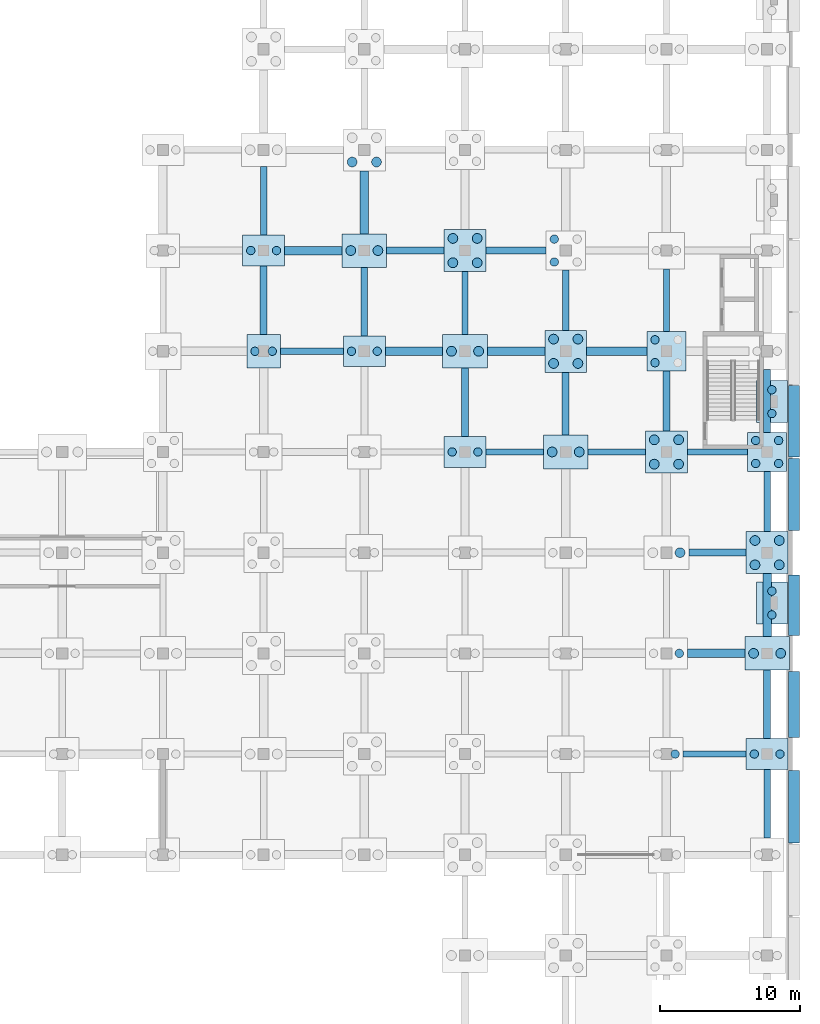
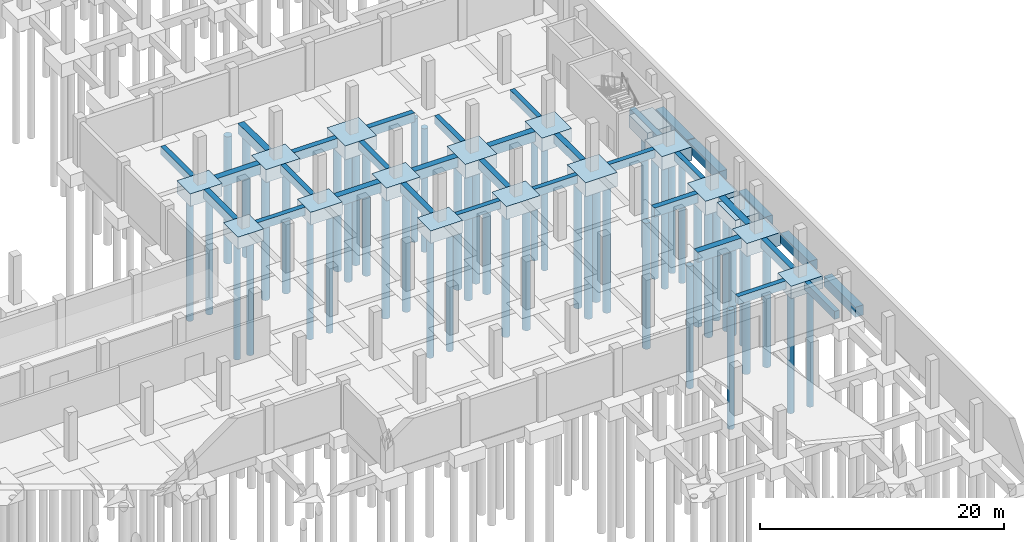
# One storey, part 13 of 38: 51 piles, 50 footings.
"""IFC4 building model written with IfcOpenShell, lengths in metres."""

import ifcopenshell
import ifcopenshell.guid

model = None  # the IFC model being written
_history = None  # IfcOwnerHistory: only IFC2X3 demands one
_inside = {}  # id of a spatial element -> (the spatial element, [elements in it])
_under = {}  # id of a project, library or spatial element -> (it, [spatial elements below it])
_declared = {}  # id of a project -> (the project, [libraries it declares])
_typed = {}  # id of a type object -> (the type object, [elements of that type])
_made_of = {}  # id of a material, layer set ... -> (it, [elements and type objects made of it])


def new_model(schema):
    """Start an empty IFC model of exactly this schema.

    Asked for "IFC4X3", IfcOpenShell would pick the latest addendum, in which some entities
    have other attributes; the version numbers below select the first issue.
    IFC2X3 requires an IfcOwnerHistory on every rooted entity: one is made here for all.
    """
    global model, _history
    if schema == "IFC4X3":
        model = ifcopenshell.file(schema_version=(4, 3, 0, 0))
    else:
        model = ifcopenshell.file(schema=schema)
    _inside.clear()
    _under.clear()
    _declared.clear()
    _typed.clear()
    _made_of.clear()
    _history = None
    if model.schema == "IFC2X3":
        org = make("IfcOrganization", Name="unknown")
        user = make(
            "IfcPersonAndOrganization",
            ThePerson=make("IfcPerson", FamilyName="unknown"),
            TheOrganization=org,
        )
        app = make(
            "IfcApplication",
            ApplicationDeveloper=org,
            Version="unknown",
            ApplicationFullName="unknown",
            ApplicationIdentifier="unknown",
        )
        _history = make(
            "IfcOwnerHistory",
            OwningUser=user,
            OwningApplication=app,
            ChangeAction="ADDED",
            CreationDate=0,
        )
    return model


def make(cls, **values):
    """One entity of the class cls with the attributes given. An attribute that is None is left unset."""
    return model.create_entity(
        cls, **{name: value for name, value in values.items() if value is not None}
    )


def rooted(cls, **values):
    """An entity with a GlobalId (a new one), such as an element, a storey or a relation."""
    return make(cls, GlobalId=ifcopenshell.guid.new(), OwnerHistory=_history, **values)


def si_unit(unit_type, name, prefix=None):
    """IfcSIUnit, for example si_unit("LENGTHUNIT", "METRE", prefix="MILLI")."""
    return make("IfcSIUnit", UnitType=unit_type, Prefix=prefix, Name=name)


def assignment(units):
    """IfcUnitAssignment: the units of a project."""
    return None if units is None else make("IfcUnitAssignment", Units=units)


def point(xyz):
    """IfcCartesianPoint."""
    return None if xyz is None else make("IfcCartesianPoint", Coordinates=xyz)


def direction(xyz):
    """IfcDirection."""
    return None if xyz is None else make("IfcDirection", DirectionRatios=xyz)


def frame(location, z_axis=None, x_axis=None):
    """IfcAxis2Placement3D, a coordinate frame: its origin and axes. An axis left out is left unset."""
    return make(
        "IfcAxis2Placement3D",
        Location=point(location),
        Axis=direction(z_axis),
        RefDirection=direction(x_axis),
    )


def frame_2d(location, x_axis=None):
    """IfcAxis2Placement2D, a coordinate frame in the plane: its origin and x axis."""
    return make(
        "IfcAxis2Placement2D", Location=point(location), RefDirection=direction(x_axis)
    )


def origin():
    """The frame at (0, 0, 0) with its axes left unset."""
    return frame((0.0, 0.0, 0.0))


def origin_2d():
    """The frame at (0, 0) in the plane with its x axis left unset."""
    return frame_2d((0.0, 0.0))


def place(relative_to, where):
    """IfcLocalPlacement: puts the frame where relative to a parent placement (None: the world)."""
    return make(
        "IfcLocalPlacement", PlacementRelTo=relative_to, RelativePlacement=where
    )


def context(
    kind, dimensions, precision=None, world=None, true_north=None, identifier=None
):
    """IfcGeometricRepresentationContext, for example the 3D "Model" context."""
    return make(
        "IfcGeometricRepresentationContext",
        ContextIdentifier=identifier,
        ContextType=kind,
        CoordinateSpaceDimension=dimensions,
        Precision=precision,
        WorldCoordinateSystem=world,
        TrueNorth=true_north,
    )


def subcontext(parent, identifier, kind, view, scale=None):
    """IfcGeometricRepresentationSubContext, for example "Body" below "Model"."""
    return make(
        "IfcGeometricRepresentationSubContext",
        ContextIdentifier=identifier,
        ContextType=kind,
        ParentContext=parent,
        TargetScale=scale,
        TargetView=view,
    )


def project(units=None, contexts=None):
    """IfcProject with its units and contexts."""
    return rooted(
        "IfcProject",
        Name="project",
        RepresentationContexts=contexts,
        UnitsInContext=assignment(units),
    )


def spatial(cls, under=None, at=None, **own):
    """A site, building, storey or space (cls), placed at a placement, below another one or the project."""
    s = rooted(cls, ObjectPlacement=at, **own)
    if under is not None:
        _under.setdefault(under.id(), (under, []))[1].append(s)
    return s


def profile(cls, at=None, kind="AREA", **sizes):
    """A parametric profile (cls). Its sizes go by their IFC names, for example OverallWidth=200.0."""
    return make(cls, ProfileType=kind, Position=at, **sizes)


def rectangle(**sizes):
    """IfcRectangleProfileDef."""
    return profile("IfcRectangleProfileDef", **sizes)


def circle(**sizes):
    """IfcCircleProfileDef."""
    return profile("IfcCircleProfileDef", **sizes)


def extrude(swept, where, along, depth):
    """IfcExtrudedAreaSolid: the profile swept, set in the frame where, extruded along a direction by depth."""
    return make(
        "IfcExtrudedAreaSolid",
        SweptArea=swept,
        Position=where,
        ExtrudedDirection=direction(along),
        Depth=depth,
    )


def shape(context_of_items, identifier, shape_type, items):
    """IfcShapeRepresentation: the items that make up one representation, for example the "Body"."""
    return make(
        "IfcShapeRepresentation",
        ContextOfItems=context_of_items,
        RepresentationIdentifier=identifier,
        RepresentationType=shape_type,
        Items=items,
    )


def material(Name=None, Category=None):
    """IfcMaterial."""
    return make("IfcMaterial", Name=Name, Category=Category)


def material_profile(
    of_material, cross_section, Name=None, Category=None, Priority=None
):
    """IfcMaterialProfile: a cross section and its material."""
    return make(
        "IfcMaterialProfile",
        Name=Name,
        Material=of_material,
        Profile=cross_section,
        Priority=Priority,
        Category=Category,
    )


def profile_set(profiles, Name=None, composite=None):
    """IfcMaterialProfileSet."""
    return make(
        "IfcMaterialProfileSet",
        Name=Name,
        MaterialProfiles=profiles,
        CompositeProfile=composite,
    )


def made_of(thing, what):
    """Note that an element or type object is made of a material, layer set ...; save() writes the relation."""
    if what is not None:
        _made_of.setdefault(what.id(), (what, []))[1].append(thing)
    return thing


def type_object(cls, material=None, **own):
    """A type object (cls), such as IfcWallType, which elements share."""
    return made_of(rooted(cls, **own), material)


def element(
    cls,
    number,
    at=None,
    inside=None,
    cuts=None,
    type_object=None,
    material=None,
    context=None,
    identifier="Body",
    shape_type=None,
    held_by="IfcProductDefinitionShape",
    body=None,
    shapes=None,
    **own,
):
    """One element of the class cls, such as IfcWall. Its Tag is "e" and its number.

    at: its placement. inside: the storey or other place that contains it. cuts: it is an
    opening in that element (IfcRelVoidsElement). A single representation is given by context,
    identifier, shape_type and body (its items); several are given by shapes. held_by: the class
    of the entity that holds the representations. save() writes the other relations.
    """
    e = rooted(cls, Tag="e%d" % number, ObjectPlacement=at, **own)
    if body is not None:
        shapes = [shape(context, identifier, shape_type, body)]
    if shapes is not None:
        e.Representation = make(held_by, Representations=shapes)
    if inside is not None:
        _inside.setdefault(inside.id(), (inside, []))[1].append(e)
    if cuts is not None:
        rooted(
            "IfcRelVoidsElement", RelatingBuildingElement=cuts, RelatedOpeningElement=e
        )
    if type_object is not None:
        _typed.setdefault(type_object.id(), (type_object, []))[1].append(e)
    return made_of(e, material)


def aggregate(whole, parts):
    """IfcRelAggregates: a whole, such as a stair, and the parts it consists of."""
    return rooted("IfcRelAggregates", RelatingObject=whole, RelatedObjects=parts)


def save(model, path):
    """Write the relations noted so far, then the file.

    IfcRelAggregates (storeys below a building ...), IfcRelContainedInSpatialStructure (elements
    in a storey), IfcRelDefinesByType, IfcRelAssociatesMaterial and IfcRelDeclares: one each for
    every whole, place, type object, material and project.
    """
    for whole, parts in _under.values():
        aggregate(whole, parts)
    for where, things in _inside.values():
        rooted(
            "IfcRelContainedInSpatialStructure",
            RelatedElements=things,
            RelatingStructure=where,
        )
    for kind, things in _typed.values():
        rooted("IfcRelDefinesByType", RelatedObjects=things, RelatingType=kind)
    for what, things in _made_of.values():
        rooted("IfcRelAssociatesMaterial", RelatedObjects=things, RelatingMaterial=what)
    for by, libraries in _declared.values():
        rooted("IfcRelDeclares", RelatingContext=by, RelatedDefinitions=libraries)
    model.write(path)


model = new_model("IFC4")

# Units and contexts
model_context = context("Model", 3, precision=1e-05, world=origin(), true_north=direction((0.0, 1.0)))
body_context = subcontext(model_context, "Body", "Model", "MODEL_VIEW")
ifc_project = project(units=[si_unit("LENGTHUNIT", "METRE"), si_unit("AREAUNIT", "SQUARE_METRE"), si_unit("VOLUMEUNIT", "CUBIC_METRE"), si_unit("PLANEANGLEUNIT", "RADIAN"), si_unit("MASSUNIT", "GRAM", prefix="KILO")], contexts=[model_context])

# Site, building, storey
site_placement = place(None, origin())
site = spatial("IfcSite", under=ifc_project, at=site_placement, CompositionType="ELEMENT")
building_placement = place(site_placement, origin())
building = spatial("IfcBuilding", under=site, at=building_placement, Name="Valkovuoma Quantum and Materials Research Institute", CompositionType="ELEMENT")
storey_placement = place(building_placement, frame((0.0, 0.0, -4.800048828125)))
storey = spatial("IfcBuildingStorey", under=building, at=storey_placement, Name="B1", CompositionType="ELEMENT", Elevation=-4.800048828125)

# Footings
ifc_material_1 = material(Name="Concrete C35/45", Category="concrete")
footing_type_1 = type_object("IfcFootingType", Name="Cap-PC-03", PredefinedType="PILE_CAP", material=ifc_material_1)
footing_1_placement = place(storey_placement, frame((129.60009765625, 64.800048828125, -1.19970703125), z_axis=(0.0, 0.0, 1.0), x_axis=(1.0, 0.0, 0.0)))
element("IfcFooting", 1, at=footing_1_placement, inside=storey, type_object=footing_type_1, Name="B1 pile cap 19K", PredefinedType="PILE_CAP", context=body_context, shape_type="SweptSolid", body=[
    extrude(rectangle(XDim=2.39990234375, YDim=2.39990234375, at=origin_2d()), origin(), (0.0, 0.0, 1.0), 1.199951171875),
])
ifc_material_2 = material(Name="Concrete C35/45", Category="concrete")
footing_type_2 = type_object("IfcFootingType", Name="Cap-PC-05", PredefinedType="PILE_CAP", material=ifc_material_2)
for number, where, z_axis, x_axis, name in (
    (2, (158.39990234375, 64.800048828125, -1.35009765625), (0.0, 0.0, 1.0), (1.0, 0.0, 0.0), "B1 pile cap 23K"),
    (3, (165.60009765625, 57.60009765625, -1.35009765625), (0.0, 0.0, 1.0), (1.0, 0.0, 0.0), "B1 pile cap 24J"),
):
    element("IfcFooting", number, at=place(storey_placement, frame(where, z_axis=z_axis, x_axis=x_axis)), inside=storey, type_object=footing_type_2, Name=name, PredefinedType="PILE_CAP", context=body_context, shape_type="SweptSolid", body=[
        extrude(rectangle(XDim=2.800048828125, YDim=2.800048828125, at=origin_2d()), origin(), (0.0, 0.0, 1.0), 1.35009765625),
    ])
ifc_material_3 = material(Name="Concrete C35/45", Category="concrete")
footing_type_3 = type_object("IfcFootingType", Name="Cap-PC-06", PredefinedType="PILE_CAP", material=ifc_material_3)
for number, where, z_axis, x_axis, name in (
    (4, (144.0, 72.0, -1.39990234375), (0.0, 0.0, 1.0), (1.0, 0.0, 0.0), "B1 pile cap 21L"),
    (5, (151.199951171875, 64.800048828125, -1.39990234375), (0.0, 0.0, 1.0), (1.0, 0.0, 0.0), "B1 pile cap 22K"),
    (6, (158.39990234375, 57.60009765625, -1.39990234375), (0.0, 0.0, 1.0), (1.0, 0.0, 0.0), "B1 pile cap 23J"),
    (7, (165.60009765625, 50.39990234375, -1.39990234375), (0.0, 0.0, 1.0), (1.0, 0.0, 0.0), "B1 pile cap 24H"),
):
    element("IfcFooting", number, at=place(storey_placement, frame(where, z_axis=z_axis, x_axis=x_axis)), inside=storey, type_object=footing_type_3, Name=name, PredefinedType="PILE_CAP", context=body_context, shape_type="SweptSolid", body=[
        extrude(rectangle(XDim=3.0, YDim=3.0, at=origin_2d()), origin(), (0.0, 0.0, 1.0), 1.39990234375),
    ])
ifc_material_4 = material(Name="Concrete C35/45", Category="concrete")
footing_type_4 = type_object("IfcFootingType", Name="Cap-PC-11", PredefinedType="PILE_CAP", material=ifc_material_4)
for number, where, z_axis, x_axis, name in (
    (8, (129.60009765625, 72.0, -1.25), (0.0, 0.0, 1.0), (1.0, 0.0, 0.0), "B1 pile cap 19L"),
    (9, (136.800048828125, 64.800048828125, -1.25), (0.0, 0.0, 1.0), (1.0, 0.0, 0.0), "B1 pile cap 20K"),
    (10, (144.0, 57.60009765625, -1.25), (0.0, 0.0, 1.0), (1.0, 0.0, 0.0), "B1 pile cap 21J"),
    (11, (165.60009765625, 36.0, -1.25), (0.0, 0.0, 1.0), (1.0, 0.0, 0.0), "B1 pile cap 24F"),
):
    element("IfcFooting", number, at=place(storey_placement, frame(where, z_axis=z_axis, x_axis=x_axis)), inside=storey, type_object=footing_type_4, Name=name, PredefinedType="PILE_CAP", context=body_context, shape_type="SweptSolid", body=[
        extrude(rectangle(XDim=3.0, YDim=2.199951171875, at=origin_2d()), origin(), (0.0, 0.0, 1.0), 1.25),
    ])
for number, where, z_axis, x_axis, name in (
    (12, (165.93994140625, 46.800048828125, -1.25), (0.0, 0.0, 1.0), (1.0, 0.0, 0.0), "B1 pilaster pile cap 01"),
    (13, (165.93994140625, 61.199951171875, -1.25), (0.0, 0.0, 1.0), (1.0, 0.0, 0.0), "B1 pilaster pile cap 02"),
):
    element("IfcFooting", number, at=place(storey_placement, frame(where, z_axis=z_axis, x_axis=x_axis)), inside=storey, type_object=footing_type_4, Name=name, PredefinedType="PILE_CAP", context=body_context, shape_type="SweptSolid", body=[
        extrude(rectangle(XDim=2.199951171875, YDim=3.0, at=origin_2d()), origin(), (0.0, 0.0, 1.0), 1.25),
    ])
ifc_material_5 = material(Name="Concrete C35/45", Category="concrete")
footing_type_5 = type_object("IfcFootingType", Name="Cap-PC-12", PredefinedType="PILE_CAP", material=ifc_material_5)
for number, where, z_axis, x_axis, name in (
    (14, (136.800048828125, 72.0, -1.2998046875), (0.0, 0.0, 1.0), (1.0, 0.0, 0.0), "B1 pile cap 20L"),
    (15, (144.0, 64.800048828125, -1.2998046875), (0.0, 0.0, 1.0), (1.0, 0.0, 0.0), "B1 pile cap 21K"),
    (16, (151.199951171875, 57.60009765625, -1.2998046875), (0.0, 0.0, 1.0), (1.0, 0.0, 0.0), "B1 pile cap 22J"),
    (17, (165.60009765625, 43.199951171875, -1.2998046875), (0.0, 0.0, 1.0), (1.0, 0.0, 0.0), "B1 pile cap 24G"),
):
    element("IfcFooting", number, at=place(storey_placement, frame(where, z_axis=z_axis, x_axis=x_axis)), inside=storey, type_object=footing_type_5, Name=name, PredefinedType="PILE_CAP", context=body_context, shape_type="SweptSolid", body=[
        extrude(rectangle(XDim=3.199951171875, YDim=2.39990234375, at=origin_2d()), origin(), (0.0, 0.0, 1.0), 1.300048828125),
    ])
ifc_material_6 = material(Name="Concrete C35/45", Category="concrete")
footing_type_6 = type_object("IfcFootingType", Name="GndBeam-FB-01", PredefinedType="FOOTING_BEAM", material=ifc_material_6)
footing_2_placement = place(storey_placement, frame((133.050048828125, 64.800048828125, -0.7998046875), z_axis=(0.0, 0.0, 1.0), x_axis=(1.0, 0.0, 0.0)))
element("IfcFooting", 18, at=footing_2_placement, inside=storey, type_object=footing_type_6, Name="B1 ground tie beam X-291", PredefinedType="FOOTING_BEAM", context=body_context, shape_type="SweptSolid", body=[
    extrude(rectangle(XDim=4.5, YDim=0.449951171875, at=origin_2d()), origin(), (0.0, 0.0, 1.0), 0.800048828125),
])
for number, where, z_axis, x_axis, name in (
    (19, (129.60009765625, 75.550048828125, -0.7998046875), (0.0, 0.0, 1.0), (0.0, 1.0, 0.0), "B1 ground tie beam Y-294"),
    (20, (136.800048828125, 68.35009765625, -0.7998046875), (0.0, 0.0, 1.0), (0.0, 1.0, 0.0), "B1 ground tie beam Y-318"),
):
    element("IfcFooting", number, at=place(storey_placement, frame(where, z_axis=z_axis, x_axis=x_axis)), inside=storey, type_object=footing_type_6, Name=name, PredefinedType="FOOTING_BEAM", context=body_context, shape_type="SweptSolid", body=[
        extrude(rectangle(XDim=4.89990234375, YDim=0.449951171875, at=origin_2d()), origin(), (0.0, 0.0, 1.0), 0.800048828125),
    ])
footing_3_placement = place(storey_placement, frame((147.550048828125, 57.60009765625, -0.7998046875), z_axis=(0.0, 0.0, 1.0), x_axis=(1.0, 0.0, 0.0)))
element("IfcFooting", 21, at=footing_3_placement, inside=storey, type_object=footing_type_6, Name="B1 ground tie beam X-348", PredefinedType="FOOTING_BEAM", context=body_context, shape_type="SweptSolid", body=[
    extrude(rectangle(XDim=4.10009765625, YDim=0.449951171875, at=origin_2d()), origin(), (0.0, 0.0, 1.0), 0.800048828125),
])
footing_4_placement = place(storey_placement, frame((144.0, 68.25, -0.7998046875), z_axis=(0.0, 0.0, 1.0), x_axis=(0.0, 1.0, 0.0)))
element("IfcFooting", 22, at=footing_4_placement, inside=storey, type_object=footing_type_6, Name="B1 ground tie beam Y-351", PredefinedType="FOOTING_BEAM", context=body_context, shape_type="SweptSolid", body=[
    extrude(rectangle(XDim=4.5, YDim=0.449951171875, at=origin_2d()), origin(), (0.0, 0.0, 1.0), 0.800048828125),
])
footing_5_placement = place(storey_placement, frame((154.85009765625, 57.60009765625, -0.7998046875), z_axis=(0.0, 0.0, 1.0), x_axis=(1.0, 0.0, 0.0)))
element("IfcFooting", 23, at=footing_5_placement, inside=storey, type_object=footing_type_6, Name="B1 ground tie beam X-381", PredefinedType="FOOTING_BEAM", context=body_context, shape_type="SweptSolid", body=[
    extrude(rectangle(XDim=4.10009765625, YDim=0.449951171875, at=origin_2d()), origin(), (0.0, 0.0, 1.0), 0.800048828125),
])
footing_6_placement = place(storey_placement, frame((151.199951171875, 68.449951171875, -0.7998046875), z_axis=(0.0, 0.0, 1.0), x_axis=(0.0, 1.0, 0.0)))
element("IfcFooting", 24, at=footing_6_placement, inside=storey, type_object=footing_type_6, Name="B1 ground tie beam Y-384", PredefinedType="FOOTING_BEAM", context=body_context, shape_type="SweptSolid", body=[
    extrude(rectangle(XDim=4.300048828125, YDim=0.449951171875, at=origin_2d()), origin(), (0.0, 0.0, 1.0), 0.800048828125),
])
footing_7_placement = place(storey_placement, frame((161.85009765625, 36.0, -0.7998046875), z_axis=(0.0, 0.0, 1.0), x_axis=(1.0, 0.0, 0.0)))
element("IfcFooting", 25, at=footing_7_placement, inside=storey, type_object=footing_type_6, Name="B1 ground tie beam X-408", PredefinedType="FOOTING_BEAM", context=body_context, shape_type="SweptSolid", body=[
    extrude(rectangle(XDim=4.5, YDim=0.449951171875, at=origin_2d()), origin(), (0.0, 0.0, 1.0), 0.800048828125),
])
footing_8_placement = place(storey_placement, frame((162.050048828125, 57.60009765625, -0.7998046875), z_axis=(0.0, 0.0, 1.0), x_axis=(1.0, 0.0, 0.0)))
element("IfcFooting", 26, at=footing_8_placement, inside=storey, type_object=footing_type_6, Name="B1 ground tie beam X-414", PredefinedType="FOOTING_BEAM", context=body_context, shape_type="SweptSolid", body=[
    extrude(rectangle(XDim=4.300048828125, YDim=0.449951171875, at=origin_2d()), origin(), (0.0, 0.0, 1.0), 0.800048828125),
])
footing_9_placement = place(storey_placement, frame((158.39990234375, 68.449951171875, -0.7998046875), z_axis=(0.0, 0.0, 1.0), x_axis=(0.0, 1.0, 0.0)))
element("IfcFooting", 27, at=footing_9_placement, inside=storey, type_object=footing_type_6, Name="B1 ground tie beam Y-417", PredefinedType="FOOTING_BEAM", context=body_context, shape_type="SweptSolid", body=[
    extrude(rectangle(XDim=4.5, YDim=0.449951171875, at=origin_2d()), origin(), (0.0, 0.0, 1.0), 0.800048828125),
])
footing_10_placement = place(storey_placement, frame((165.60009765625, 32.449951171875, -0.7998046875), z_axis=(0.0, 0.0, 1.0), x_axis=(0.0, 1.0, 0.0)))
element("IfcFooting", 28, at=footing_10_placement, inside=storey, type_object=footing_type_6, Name="B1 ground tie beam Y-435", PredefinedType="FOOTING_BEAM", context=body_context, shape_type="SweptSolid", body=[
    extrude(rectangle(XDim=4.89990234375, YDim=0.449951171875, at=origin_2d()), origin(), (0.0, 0.0, 1.0), 0.800048828125),
])
footing_11_placement = place(storey_placement, frame((165.60009765625, 54.050048828125, -0.7998046875), z_axis=(0.0, 0.0, 1.0), x_axis=(0.0, 1.0, 0.0)))
element("IfcFooting", 29, at=footing_11_placement, inside=storey, type_object=footing_type_6, Name="B1 ground tie beam Y-438", PredefinedType="FOOTING_BEAM", context=body_context, shape_type="SweptSolid", body=[
    extrude(rectangle(XDim=4.300048828125, YDim=0.449951171875, at=origin_2d()), origin(), (0.0, 0.0, 1.0), 0.800048828125),
])
ifc_material_7 = material(Name="Concrete C35/45", Category="concrete")
footing_type_7 = type_object("IfcFootingType", Name="GndBeam-FB-02", PredefinedType="FOOTING_BEAM", material=ifc_material_7)
footing_12_placement = place(storey_placement, frame((129.60009765625, 68.449951171875, -0.89990234375), z_axis=(0.0, 0.0, 1.0), x_axis=(0.0, 1.0, 0.0)))
element("IfcFooting", 30, at=footing_12_placement, inside=storey, type_object=footing_type_7, Name="B1 ground tie beam Y-292", PredefinedType="FOOTING_BEAM", context=body_context, shape_type="SweptSolid", body=[
    extrude(rectangle(XDim=4.89990234375, YDim=0.5, at=origin_2d()), origin(), (0.0, 0.0, 1.0), 0.89990234375),
])
footing_13_placement = place(storey_placement, frame((140.449951171875, 72.0, -0.89990234375), z_axis=(0.0, 0.0, 1.0), x_axis=(1.0, 0.0, 0.0)))
element("IfcFooting", 31, at=footing_13_placement, inside=storey, type_object=footing_type_7, Name="B1 ground tie beam X-319", PredefinedType="FOOTING_BEAM", context=body_context, shape_type="SweptSolid", body=[
    extrude(rectangle(XDim=4.10009765625, YDim=0.5, at=origin_2d()), origin(), (0.0, 0.0, 1.0), 0.89990234375),
])
footing_14_placement = place(storey_placement, frame((144.0, 61.14990234375, -0.89990234375), z_axis=(0.0, 0.0, 1.0), x_axis=(0.0, 1.0, 0.0)))
element("IfcFooting", 32, at=footing_14_placement, inside=storey, type_object=footing_type_7, Name="B1 ground tie beam Y-349", PredefinedType="FOOTING_BEAM", context=body_context, shape_type="SweptSolid", body=[
    extrude(rectangle(XDim=4.89990234375, YDim=0.5, at=origin_2d()), origin(), (0.0, 0.0, 1.0), 0.89990234375),
])
footing_15_placement = place(storey_placement, frame((147.64990234375, 72.0, -0.89990234375), z_axis=(0.0, 0.0, 1.0), x_axis=(1.0, 0.0, 0.0)))
element("IfcFooting", 33, at=footing_15_placement, inside=storey, type_object=footing_type_7, Name="B1 ground tie beam X-352", PredefinedType="FOOTING_BEAM", context=body_context, shape_type="SweptSolid", body=[
    extrude(rectangle(XDim=4.300048828125, YDim=0.5, at=origin_2d()), origin(), (0.0, 0.0, 1.0), 0.89990234375),
])
footing_16_placement = place(storey_placement, frame((151.199951171875, 61.050048828125, -0.89990234375), z_axis=(0.0, 0.0, 1.0), x_axis=(0.0, 1.0, 0.0)))
element("IfcFooting", 34, at=footing_16_placement, inside=storey, type_object=footing_type_7, Name="B1 ground tie beam Y-382", PredefinedType="FOOTING_BEAM", context=body_context, shape_type="SweptSolid", body=[
    extrude(rectangle(XDim=4.5, YDim=0.5, at=origin_2d()), origin(), (0.0, 0.0, 1.0), 0.89990234375),
])
footing_17_placement = place(storey_placement, frame((162.050048828125, 50.39990234375, -0.89990234375), z_axis=(0.0, 0.0, 1.0), x_axis=(1.0, 0.0, 0.0)))
element("IfcFooting", 35, at=footing_17_placement, inside=storey, type_object=footing_type_7, Name="B1 ground tie beam X-412", PredefinedType="FOOTING_BEAM", context=body_context, shape_type="SweptSolid", body=[
    extrude(rectangle(XDim=4.10009765625, YDim=0.5, at=origin_2d()), origin(), (0.0, 0.0, 1.0), 0.89990234375),
])
footing_18_placement = place(storey_placement, frame((158.39990234375, 61.25, -0.89990234375), z_axis=(0.0, 0.0, 1.0), x_axis=(0.0, 1.0, 0.0)))
element("IfcFooting", 36, at=footing_18_placement, inside=storey, type_object=footing_type_7, Name="B1 ground tie beam Y-415", PredefinedType="FOOTING_BEAM", context=body_context, shape_type="SweptSolid", body=[
    extrude(rectangle(XDim=4.300048828125, YDim=0.5, at=origin_2d()), origin(), (0.0, 0.0, 1.0), 0.89990234375),
])
footing_19_placement = place(storey_placement, frame((165.60009765625, 39.550048828125, -0.89990234375), z_axis=(0.0, 0.0, 1.0), x_axis=(0.0, 1.0, 0.0)))
element("IfcFooting", 37, at=footing_19_placement, inside=storey, type_object=footing_type_7, Name="B1 ground tie beam Y-436", PredefinedType="FOOTING_BEAM", context=body_context, shape_type="SweptSolid", body=[
    extrude(rectangle(XDim=4.89990234375, YDim=0.5, at=origin_2d()), origin(), (0.0, 0.0, 1.0), 0.89990234375),
])
footing_20_placement = place(storey_placement, frame((165.60009765625, 61.25, -0.89990234375), z_axis=(0.0, 0.0, 1.0), x_axis=(0.0, 1.0, 0.0)))
element("IfcFooting", 38, at=footing_20_placement, inside=storey, type_object=footing_type_7, Name="B1 ground tie beam Y-439", PredefinedType="FOOTING_BEAM", context=body_context, shape_type="SweptSolid", body=[
    extrude(rectangle(XDim=4.5, YDim=0.5, at=origin_2d()), origin(), (0.0, 0.0, 1.0), 0.89990234375),
])
ifc_material_8 = material(Name="Concrete C35/45", Category="concrete")
footing_type_8 = type_object("IfcFootingType", Name="GndBeam-FB-03", PredefinedType="FOOTING_BEAM", material=ifc_material_8)
for number, where, z_axis, x_axis, name in (
    (39, (133.14990234375, 72.0, -1.0), (0.0, 0.0, 1.0), (1.0, 0.0, 0.0), "B1 ground tie beam X-293"),
    (40, (140.35009765625, 64.800048828125, -1.0), (0.0, 0.0, 1.0), (1.0, 0.0, 0.0), "B1 ground tie beam X-317"),
):
    element("IfcFooting", number, at=place(storey_placement, frame(where, z_axis=z_axis, x_axis=x_axis)), inside=storey, type_object=footing_type_8, Name=name, PredefinedType="FOOTING_BEAM", context=body_context, shape_type="SweptSolid", body=[
        extrude(rectangle(XDim=4.10009765625, YDim=0.60009765625, at=origin_2d()), origin(), (0.0, 0.0, 1.0), 1.0),
    ])
footing_21_placement = place(storey_placement, frame((136.800048828125, 75.449951171875, -1.0), z_axis=(0.0, 0.0, 1.0), x_axis=(0.0, 1.0, 0.0)))
element("IfcFooting", 41, at=footing_21_placement, inside=storey, type_object=footing_type_8, Name="B1 ground tie beam Y-320", PredefinedType="FOOTING_BEAM", context=body_context, shape_type="SweptSolid", body=[
    extrude(rectangle(XDim=4.5, YDim=0.60009765625, at=origin_2d()), origin(), (0.0, 0.0, 1.0), 1.0),
])
footing_22_placement = place(storey_placement, frame((147.64990234375, 64.800048828125, -1.0), z_axis=(0.0, 0.0, 1.0), x_axis=(1.0, 0.0, 0.0)))
element("IfcFooting", 42, at=footing_22_placement, inside=storey, type_object=footing_type_8, Name="B1 ground tie beam X-350", PredefinedType="FOOTING_BEAM", context=body_context, shape_type="SweptSolid", body=[
    extrude(rectangle(XDim=4.10009765625, YDim=0.60009765625, at=origin_2d()), origin(), (0.0, 0.0, 1.0), 1.0),
])
footing_23_placement = place(storey_placement, frame((154.85009765625, 64.800048828125, -1.0), z_axis=(0.0, 0.0, 1.0), x_axis=(1.0, 0.0, 0.0)))
element("IfcFooting", 43, at=footing_23_placement, inside=storey, type_object=footing_type_8, Name="B1 ground tie beam X-383", PredefinedType="FOOTING_BEAM", context=body_context, shape_type="SweptSolid", body=[
    extrude(rectangle(XDim=4.300048828125, YDim=0.60009765625, at=origin_2d()), origin(), (0.0, 0.0, 1.0), 1.0),
])
footing_24_placement = place(storey_placement, frame((161.949951171875, 43.199951171875, -1.0), z_axis=(0.0, 0.0, 1.0), x_axis=(1.0, 0.0, 0.0)))
element("IfcFooting", 44, at=footing_24_placement, inside=storey, type_object=footing_type_8, Name="B1 ground tie beam X-410", PredefinedType="FOOTING_BEAM", context=body_context, shape_type="SweptSolid", body=[
    extrude(rectangle(XDim=4.10009765625, YDim=0.60009765625, at=origin_2d()), origin(), (0.0, 0.0, 1.0), 1.0),
])
footing_25_placement = place(storey_placement, frame((165.60009765625, 46.64990234375, -1.0), z_axis=(0.0, 0.0, 1.0), x_axis=(0.0, 1.0, 0.0)))
element("IfcFooting", 45, at=footing_25_placement, inside=storey, type_object=footing_type_8, Name="B1 ground tie beam Y-437", PredefinedType="FOOTING_BEAM", context=body_context, shape_type="SweptSolid", body=[
    extrude(rectangle(XDim=4.5, YDim=0.60009765625, at=origin_2d()), origin(), (0.0, 0.0, 1.0), 1.0),
])
ifc_material_9 = material(Name="Concrete C35/45", Category="concrete")
footing_type_9 = type_object("IfcFootingType", Name="Pad-PF-04", PredefinedType="PAD_FOOTING", material=ifc_material_9)
footing_26_placement = place(storey_placement, frame((167.52001953125, 32.236083984375, -1.0), z_axis=(0.0, 0.0, 1.0), x_axis=(0.0, 1.0, 0.0)))
element("IfcFooting", 46, at=footing_26_placement, inside=storey, type_object=footing_type_9, Name="B1 retaining wall pad footing 020", PredefinedType="PAD_FOOTING", context=body_context, shape_type="SweptSolid", body=[
    extrude(rectangle(XDim=5.16796875, YDim=0.760009765625, at=origin_2d()), origin(), (0.0, 0.0, 1.0), 1.0),
])
footing_27_placement = place(storey_placement, frame((167.52001953125, 39.550048828125, -1.0), z_axis=(0.0, 0.0, 1.0), x_axis=(0.0, 1.0, 0.0)))
element("IfcFooting", 47, at=footing_27_placement, inside=storey, type_object=footing_type_9, Name="B1 retaining wall pad footing 021", PredefinedType="PAD_FOOTING", context=body_context, shape_type="SweptSolid", body=[
    extrude(rectangle(XDim=4.739990234375, YDim=0.760009765625, at=origin_2d()), origin(), (0.0, 0.0, 1.0), 1.0),
])
footing_28_placement = place(storey_placement, frame((167.52001953125, 46.64990234375, -1.0), z_axis=(0.0, 0.0, 1.0), x_axis=(0.0, 1.0, 0.0)))
element("IfcFooting", 48, at=footing_28_placement, inside=storey, type_object=footing_type_9, Name="B1 retaining wall pad footing 022", PredefinedType="PAD_FOOTING", context=body_context, shape_type="SweptSolid", body=[
    extrude(rectangle(XDim=4.340087890625, YDim=0.760009765625, at=origin_2d()), origin(), (0.0, 0.0, 1.0), 1.0),
])
footing_29_placement = place(storey_placement, frame((167.52001953125, 54.56396484375, -1.0), z_axis=(0.0, 0.0, 1.0), x_axis=(0.0, 1.0, 0.0)))
element("IfcFooting", 49, at=footing_29_placement, inside=storey, type_object=footing_type_9, Name="B1 retaining wall pad footing 023", PredefinedType="PAD_FOOTING", context=body_context, shape_type="SweptSolid", body=[
    extrude(rectangle(XDim=5.16796875, YDim=0.760009765625, at=origin_2d()), origin(), (0.0, 0.0, 1.0), 1.0),
])
footing_30_placement = place(storey_placement, frame((167.52001953125, 59.7919921875, -1.0), z_axis=(0.0, 0.0, 1.0), x_axis=(0.0, 1.0, 0.0)))
element("IfcFooting", 50, at=footing_30_placement, inside=storey, type_object=footing_type_9, Name="B1 retaining wall pad footing 024", PredefinedType="PAD_FOOTING", context=body_context, shape_type="SweptSolid", body=[
    extrude(rectangle(XDim=5.1279296875, YDim=0.760009765625, at=origin_2d()), origin(), (0.0, 0.0, 1.0), 1.0),
])

# Piles
ifc_material_10 = material(Name="Concrete C40/50", Category="concrete")
ifc_material_profile_1 = material_profile(ifc_material_10, circle(Radius=0.300048828125, at=origin_2d()), Name="Concrete C40/50")
ifc_profile_set_1 = profile_set([ifc_material_profile_1], Name="Concrete C40/50")
pile_type_1 = type_object("IfcPileType", Name="Pile-PL-B600", PredefinedType="BORED", material=ifc_profile_set_1)
for number, where, z_axis, x_axis, name in (
    (51, (128.97998046875, 64.800048828125, -1.099853515625), (0.0, 0.0, -1.0), (1.0, 0.0, 0.0), "B1 pile 19K-1"),
    (52, (130.219970703125, 64.800048828125, -1.099853515625), (0.0, 0.0, -1.0), (1.0, 0.0, 0.0), "B1 pile 19K-2"),
):
    element("IfcPile", number, at=place(storey_placement, frame(where, z_axis=z_axis, x_axis=x_axis)), inside=storey, type_object=pile_type_1, Name=name, PredefinedType="BORED", context=body_context, shape_type="SweptSolid", body=[
        extrude(circle(Radius=0.300048828125, at=origin_2d()), origin(), (0.0, 0.0, 1.0), 11.89990234375),
    ])
for number, where, z_axis, x_axis, name in (
    (53, (128.679931640625, 72.0, -1.14990234375), (0.0, 0.0, -1.0), (1.0, 0.0, 0.0), "B1 pile 19L-1"),
    (54, (130.52001953125, 72.0, -1.14990234375), (0.0, 0.0, -1.0), (1.0, 0.0, 0.0), "B1 pile 19L-2"),
    (55, (135.8798828125, 64.800048828125, -1.14990234375), (0.0, 0.0, -1.0), (1.0, 0.0, 0.0), "B1 pile 20K-1"),
    (56, (137.719970703125, 64.800048828125, -1.14990234375), (0.0, 0.0, -1.0), (1.0, 0.0, 0.0), "B1 pile 20K-2"),
    (57, (143.080078125, 57.60009765625, -1.14990234375), (0.0, 0.0, -1.0), (1.0, 0.0, 0.0), "B1 pile 21J-1"),
    (58, (144.919921875, 57.60009765625, -1.14990234375), (0.0, 0.0, -1.0), (1.0, 0.0, 0.0), "B1 pile 21J-2"),
):
    element("IfcPile", number, at=place(storey_placement, frame(where, z_axis=z_axis, x_axis=x_axis)), inside=storey, type_object=pile_type_1, Name=name, PredefinedType="BORED", context=body_context, shape_type="SweptSolid", body=[
        extrude(circle(Radius=0.300048828125, at=origin_2d()), origin(), (0.0, 0.0, 1.0), 12.25),
    ])
for number, where, z_axis, x_axis, name in (
    (59, (150.3798828125, 71.179931640625, -1.25), (0.0, 0.0, -1.0), (1.0, 0.0, 0.0), "B1 pile 22L-1"),
    (60, (150.3798828125, 72.820068359375, -1.25), (0.0, 0.0, -1.0), (1.0, 0.0, 0.0), "B1 pile 22L-3"),
):
    element("IfcPile", number, at=place(storey_placement, frame(where, z_axis=z_axis, x_axis=x_axis)), inside=storey, type_object=pile_type_1, Name=name, PredefinedType="BORED", context=body_context, shape_type="SweptSolid", body=[
        extrude(circle(Radius=0.300048828125, at=origin_2d()), origin(), (0.0, 0.0, 1.0), 12.35009765625),
    ])
pile_1_placement = place(storey_placement, frame((159.02001953125, 36.0, -1.099853515625), z_axis=(0.0, 0.0, -1.0), x_axis=(1.0, 0.0, 0.0)))
element("IfcPile", 61, at=pile_1_placement, inside=storey, type_object=pile_type_1, Name="B1 pile 23F-2", PredefinedType="BORED", context=body_context, shape_type="SweptSolid", body=[
    extrude(circle(Radius=0.300048828125, at=origin_2d()), origin(), (0.0, 0.0, 1.0), 11.89990234375),
])
pile_2_placement = place(storey_placement, frame((159.320068359375, 43.199951171875, -1.14990234375), z_axis=(0.0, 0.0, -1.0), x_axis=(1.0, 0.0, 0.0)))
element("IfcPile", 62, at=pile_2_placement, inside=storey, type_object=pile_type_1, Name="B1 pile 23G-2", PredefinedType="BORED", context=body_context, shape_type="SweptSolid", body=[
    extrude(circle(Radius=0.300048828125, at=origin_2d()), origin(), (0.0, 0.0, 1.0), 12.25),
])
for number, where, z_axis, x_axis, name in (
    (63, (157.580078125, 63.97998046875, -1.25), (0.0, 0.0, -1.0), (1.0, 0.0, 0.0), "B1 pile 23K-1"),
    (64, (157.580078125, 65.6201171875, -1.25), (0.0, 0.0, -1.0), (1.0, 0.0, 0.0), "B1 pile 23K-3"),
):
    element("IfcPile", number, at=place(storey_placement, frame(where, z_axis=z_axis, x_axis=x_axis)), inside=storey, type_object=pile_type_1, Name=name, PredefinedType="BORED", context=body_context, shape_type="SweptSolid", body=[
        extrude(circle(Radius=0.300048828125, at=origin_2d()), origin(), (0.0, 0.0, 1.0), 12.35009765625),
    ])
for number, where, z_axis, x_axis, name in (
    (65, (164.679931640625, 36.0, -1.14990234375), (0.0, 0.0, -1.0), (1.0, 0.0, 0.0), "B1 pile 24F-1"),
    (66, (166.52001953125, 36.0, -1.14990234375), (0.0, 0.0, -1.0), (1.0, 0.0, 0.0), "B1 pile 24F-2"),
):
    element("IfcPile", number, at=place(storey_placement, frame(where, z_axis=z_axis, x_axis=x_axis)), inside=storey, type_object=pile_type_1, Name=name, PredefinedType="BORED", context=body_context, shape_type="SweptSolid", body=[
        extrude(circle(Radius=0.300048828125, at=origin_2d()), origin(), (0.0, 0.0, 1.0), 12.25),
    ])
for number, where, z_axis, x_axis, name in (
    (67, (164.780029296875, 56.780029296875, -1.25), (0.0, 0.0, -1.0), (1.0, 0.0, 0.0), "B1 pile 24J-1"),
    (68, (166.419921875, 56.780029296875, -1.25), (0.0, 0.0, -1.0), (1.0, 0.0, 0.0), "B1 pile 24J-2"),
    (69, (164.780029296875, 58.419921875, -1.25), (0.0, 0.0, -1.0), (1.0, 0.0, 0.0), "B1 pile 24J-3"),
    (70, (166.419921875, 58.419921875, -1.25), (0.0, 0.0, -1.0), (1.0, 0.0, 0.0), "B1 pile 24J-4"),
):
    element("IfcPile", number, at=place(storey_placement, frame(where, z_axis=z_axis, x_axis=x_axis)), inside=storey, type_object=pile_type_1, Name=name, PredefinedType="BORED", context=body_context, shape_type="SweptSolid", body=[
        extrude(circle(Radius=0.300048828125, at=origin_2d()), origin(), (0.0, 0.0, 1.0), 12.35009765625),
    ])
for number, where, z_axis, x_axis, name in (
    (71, (165.93994140625, 45.949951171875, -1.14990234375), (0.0, 0.0, -1.0), (1.0, 0.0, 0.0), "B1 pilaster pile 01-1"),
    (72, (165.93994140625, 47.64990234375, -1.14990234375), (0.0, 0.0, -1.0), (1.0, 0.0, 0.0), "B1 pilaster pile 01-2"),
    (73, (165.93994140625, 60.35009765625, -1.14990234375), (0.0, 0.0, -1.0), (1.0, 0.0, 0.0), "B1 pilaster pile 02-1"),
    (74, (165.93994140625, 62.050048828125, -1.14990234375), (0.0, 0.0, -1.0), (1.0, 0.0, 0.0), "B1 pilaster pile 02-2"),
):
    element("IfcPile", number, at=place(storey_placement, frame(where, z_axis=z_axis, x_axis=x_axis)), inside=storey, type_object=pile_type_1, Name=name, PredefinedType="BORED", context=body_context, shape_type="SweptSolid", body=[
        extrude(circle(Radius=0.300048828125, at=origin_2d()), origin(), (0.0, 0.0, 1.0), 12.0),
    ])
ifc_material_11 = material(Name="Concrete C40/50", Category="concrete")
ifc_material_profile_2 = material_profile(ifc_material_11, circle(Radius=0.35009765625, at=origin_2d()), Name="Concrete C40/50")
ifc_profile_set_2 = profile_set([ifc_material_profile_2], Name="Concrete C40/50")
pile_type_2 = type_object("IfcPileType", Name="Pile-PL-B700", PredefinedType="BORED", material=ifc_profile_set_2)
for number, where, z_axis, x_axis, name in (
    (75, (135.830078125, 72.0, -1.199951171875), (0.0, 0.0, -1.0), (1.0, 0.0, 0.0), "B1 pile 20L-1"),
    (76, (137.77001953125, 72.0, -1.199951171875), (0.0, 0.0, -1.0), (1.0, 0.0, 0.0), "B1 pile 20L-2"),
):
    element("IfcPile", number, at=place(storey_placement, frame(where, z_axis=z_axis, x_axis=x_axis)), inside=storey, type_object=pile_type_2, Name=name, PredefinedType="BORED", context=body_context, shape_type="SweptSolid", body=[
        extrude(circle(Radius=0.35009765625, at=origin_2d()), origin(), (0.0, 0.0, 1.0), 12.60009765625),
    ])
for number, where, z_axis, x_axis, name in (
    (77, (135.929931640625, 78.330078125, -1.300048828125), (0.0, 0.0, -1.0), (1.0, 0.0, 0.0), "B1 pile 20M-1"),
    (78, (137.669921875, 78.330078125, -1.300048828125), (0.0, 0.0, -1.0), (1.0, 0.0, 0.0), "B1 pile 20M-2"),
):
    element("IfcPile", number, at=place(storey_placement, frame(where, z_axis=z_axis, x_axis=x_axis)), inside=storey, type_object=pile_type_2, Name=name, PredefinedType="BORED", context=body_context, shape_type="SweptSolid", body=[
        extrude(circle(Radius=0.35009765625, at=origin_2d()), origin(), (0.0, 0.0, 1.0), 12.699951171875),
    ])
for number, where, z_axis, x_axis, name in (
    (79, (143.030029296875, 64.800048828125, -1.199951171875), (0.0, 0.0, -1.0), (1.0, 0.0, 0.0), "B1 pile 21K-1"),
    (80, (144.969970703125, 64.800048828125, -1.199951171875), (0.0, 0.0, -1.0), (1.0, 0.0, 0.0), "B1 pile 21K-2"),
):
    element("IfcPile", number, at=place(storey_placement, frame(where, z_axis=z_axis, x_axis=x_axis)), inside=storey, type_object=pile_type_2, Name=name, PredefinedType="BORED", context=body_context, shape_type="SweptSolid", body=[
        extrude(circle(Radius=0.35009765625, at=origin_2d()), origin(), (0.0, 0.0, 1.0), 12.60009765625),
    ])
for number, where, z_axis, x_axis, name in (
    (81, (143.1298828125, 71.1298828125, -1.300048828125), (0.0, 0.0, -1.0), (1.0, 0.0, 0.0), "B1 pile 21L-1"),
    (82, (144.8701171875, 71.1298828125, -1.300048828125), (0.0, 0.0, -1.0), (1.0, 0.0, 0.0), "B1 pile 21L-2"),
    (83, (143.1298828125, 72.8701171875, -1.300048828125), (0.0, 0.0, -1.0), (1.0, 0.0, 0.0), "B1 pile 21L-3"),
    (84, (144.8701171875, 72.8701171875, -1.300048828125), (0.0, 0.0, -1.0), (1.0, 0.0, 0.0), "B1 pile 21L-4"),
):
    element("IfcPile", number, at=place(storey_placement, frame(where, z_axis=z_axis, x_axis=x_axis)), inside=storey, type_object=pile_type_2, Name=name, PredefinedType="BORED", context=body_context, shape_type="SweptSolid", body=[
        extrude(circle(Radius=0.35009765625, at=origin_2d()), origin(), (0.0, 0.0, 1.0), 12.699951171875),
    ])
for number, where, z_axis, x_axis, name in (
    (85, (150.22998046875, 57.60009765625, -1.199951171875), (0.0, 0.0, -1.0), (1.0, 0.0, 0.0), "B1 pile 22J-1"),
    (86, (152.169921875, 57.60009765625, -1.199951171875), (0.0, 0.0, -1.0), (1.0, 0.0, 0.0), "B1 pile 22J-2"),
):
    element("IfcPile", number, at=place(storey_placement, frame(where, z_axis=z_axis, x_axis=x_axis)), inside=storey, type_object=pile_type_2, Name=name, PredefinedType="BORED", context=body_context, shape_type="SweptSolid", body=[
        extrude(circle(Radius=0.35009765625, at=origin_2d()), origin(), (0.0, 0.0, 1.0), 12.60009765625),
    ])
for number, where, z_axis, x_axis, name in (
    (87, (150.330078125, 63.929931640625, -1.300048828125), (0.0, 0.0, -1.0), (1.0, 0.0, 0.0), "B1 pile 22K-1"),
    (88, (152.070068359375, 63.929931640625, -1.300048828125), (0.0, 0.0, -1.0), (1.0, 0.0, 0.0), "B1 pile 22K-2"),
    (89, (150.330078125, 65.669921875, -1.300048828125), (0.0, 0.0, -1.0), (1.0, 0.0, 0.0), "B1 pile 22K-3"),
    (90, (152.070068359375, 65.669921875, -1.300048828125), (0.0, 0.0, -1.0), (1.0, 0.0, 0.0), "B1 pile 22K-4"),
):
    element("IfcPile", number, at=place(storey_placement, frame(where, z_axis=z_axis, x_axis=x_axis)), inside=storey, type_object=pile_type_2, Name=name, PredefinedType="BORED", context=body_context, shape_type="SweptSolid", body=[
        extrude(circle(Radius=0.35009765625, at=origin_2d()), origin(), (0.0, 0.0, 1.0), 12.699951171875),
    ])
pile_3_placement = place(storey_placement, frame((159.3701171875, 50.39990234375, -1.199951171875), z_axis=(0.0, 0.0, -1.0), x_axis=(1.0, 0.0, 0.0)))
element("IfcPile", 91, at=pile_3_placement, inside=storey, type_object=pile_type_2, Name="B1 pile 23H-2", PredefinedType="BORED", context=body_context, shape_type="SweptSolid", body=[
    extrude(circle(Radius=0.35009765625, at=origin_2d()), origin(), (0.0, 0.0, 1.0), 12.60009765625),
])
for number, where, z_axis, x_axis, name in (
    (92, (157.530029296875, 56.72998046875, -1.300048828125), (0.0, 0.0, -1.0), (1.0, 0.0, 0.0), "B1 pile 23J-1"),
    (93, (159.27001953125, 56.72998046875, -1.300048828125), (0.0, 0.0, -1.0), (1.0, 0.0, 0.0), "B1 pile 23J-2"),
    (94, (157.530029296875, 58.469970703125, -1.300048828125), (0.0, 0.0, -1.0), (1.0, 0.0, 0.0), "B1 pile 23J-3"),
    (95, (159.27001953125, 58.469970703125, -1.300048828125), (0.0, 0.0, -1.0), (1.0, 0.0, 0.0), "B1 pile 23J-4"),
):
    element("IfcPile", number, at=place(storey_placement, frame(where, z_axis=z_axis, x_axis=x_axis)), inside=storey, type_object=pile_type_2, Name=name, PredefinedType="BORED", context=body_context, shape_type="SweptSolid", body=[
        extrude(circle(Radius=0.35009765625, at=origin_2d()), origin(), (0.0, 0.0, 1.0), 12.699951171875),
    ])
for number, where, z_axis, x_axis, name in (
    (96, (164.6298828125, 43.199951171875, -1.199951171875), (0.0, 0.0, -1.0), (1.0, 0.0, 0.0), "B1 pile 24G-1"),
    (97, (166.570068359375, 43.199951171875, -1.199951171875), (0.0, 0.0, -1.0), (1.0, 0.0, 0.0), "B1 pile 24G-2"),
):
    element("IfcPile", number, at=place(storey_placement, frame(where, z_axis=z_axis, x_axis=x_axis)), inside=storey, type_object=pile_type_2, Name=name, PredefinedType="BORED", context=body_context, shape_type="SweptSolid", body=[
        extrude(circle(Radius=0.35009765625, at=origin_2d()), origin(), (0.0, 0.0, 1.0), 12.60009765625),
    ])
for number, where, z_axis, x_axis, name in (
    (98, (164.72998046875, 49.530029296875, -1.300048828125), (0.0, 0.0, -1.0), (1.0, 0.0, 0.0), "B1 pile 24H-1"),
    (99, (166.469970703125, 49.530029296875, -1.300048828125), (0.0, 0.0, -1.0), (1.0, 0.0, 0.0), "B1 pile 24H-2"),
    (100, (164.72998046875, 51.27001953125, -1.300048828125), (0.0, 0.0, -1.0), (1.0, 0.0, 0.0), "B1 pile 24H-3"),
    (101, (166.469970703125, 51.27001953125, -1.300048828125), (0.0, 0.0, -1.0), (1.0, 0.0, 0.0), "B1 pile 24H-4"),
):
    element("IfcPile", number, at=place(storey_placement, frame(where, z_axis=z_axis, x_axis=x_axis)), inside=storey, type_object=pile_type_2, Name=name, PredefinedType="BORED", context=body_context, shape_type="SweptSolid", body=[
        extrude(circle(Radius=0.35009765625, at=origin_2d()), origin(), (0.0, 0.0, 1.0), 12.699951171875),
    ])

save(model, "model.ifc")
